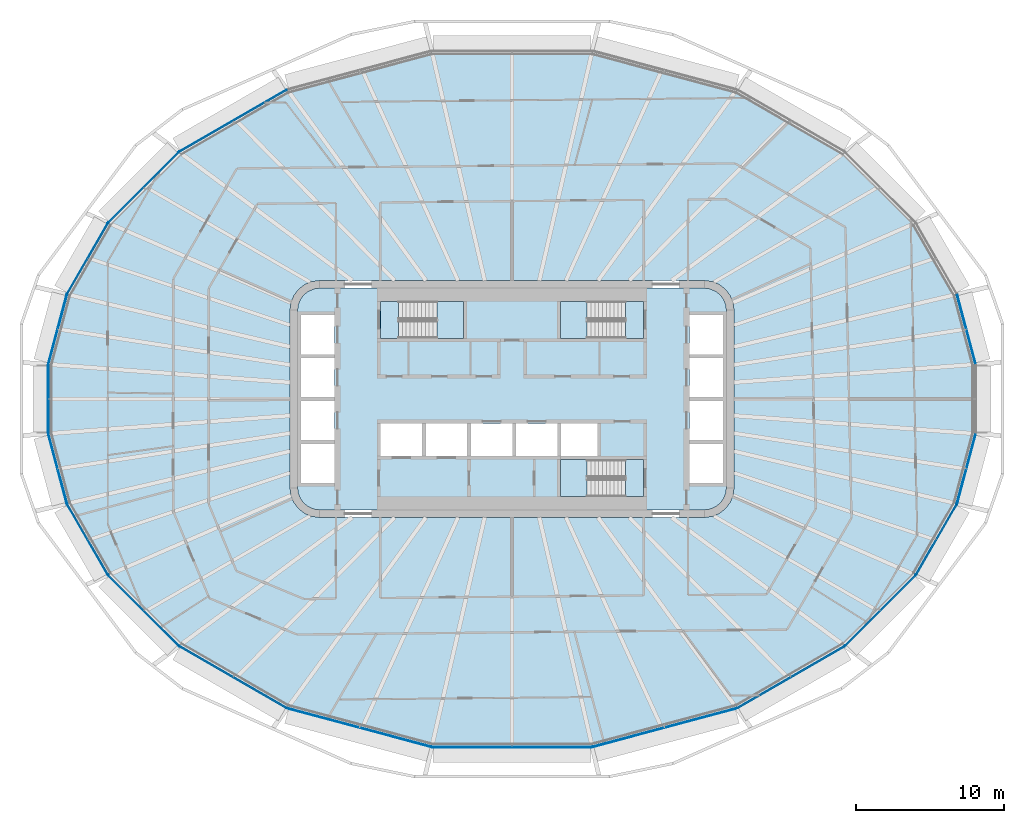
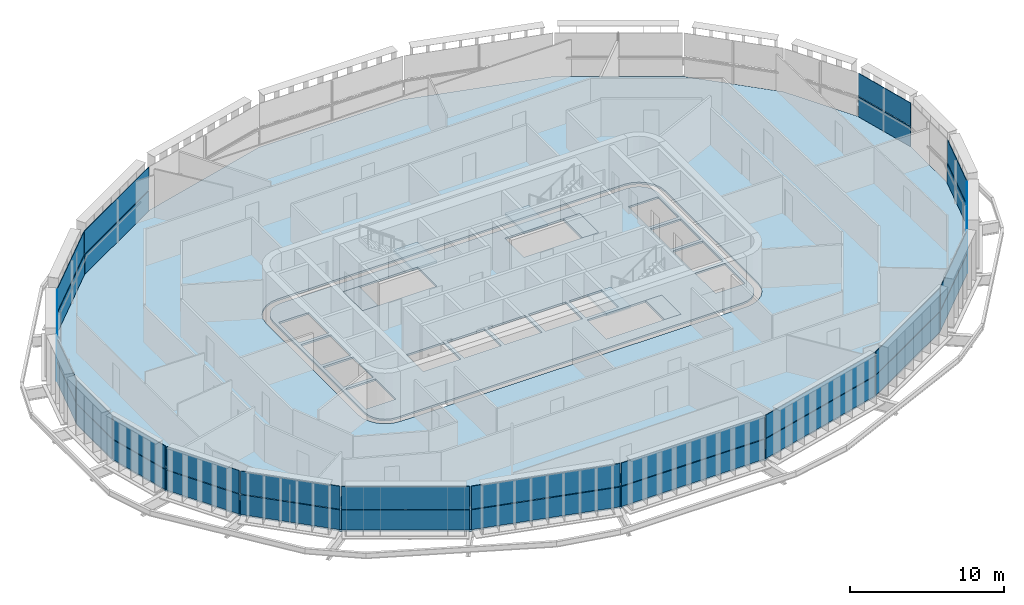
# One storey, part 10 of 23: 34 plates, 8 slabs, 20 elements without a shape of their own.
"""IFC4 building model written with IfcOpenShell, lengths in metres."""

from ifc_helpers import new_model, si_unit, direction, frame, origin, place, context, subcontext, project, spatial, polyline, outline, extrude, material, layer, layer_set, type_object, element, aggregate, save


model = new_model("IFC4")

# Units and contexts
model_context = context("Model", 3, precision=1e-05, world=origin(), true_north=direction((0.0, 1.0)))
body_context = subcontext(model_context, "Body", "Model", "MODEL_VIEW")
ifc_project = project(units=[si_unit("LENGTHUNIT", "METRE"), si_unit("AREAUNIT", "SQUARE_METRE"), si_unit("VOLUMEUNIT", "CUBIC_METRE"), si_unit("PLANEANGLEUNIT", "RADIAN"), si_unit("MASSUNIT", "GRAM", prefix="KILO")], contexts=[model_context])

# Site, building, storey
site_placement = place(None, origin())
site = spatial("IfcSite", under=ifc_project, at=site_placement, CompositionType="ELEMENT")
building_placement = place(site_placement, origin())
building = spatial("IfcBuilding", under=site, at=building_placement, Name="Sahrelin Media Tower", CompositionType="ELEMENT")
storey_placement = place(building_placement, frame((0.0, 0.0, 161.60009765625)))
storey = spatial("IfcBuildingStorey", under=building, at=storey_placement, Name="L33", CompositionType="ELEMENT", Elevation=161.60009765625)

# Slabs
ifc_material_1 = material(Name="Concrete C40/50", Category="concrete")
ifc_layer_1 = layer(ifc_material_1, 0.14990234375)
ifc_layer_set_1 = layer_set([ifc_layer_1], Name="Composite floor slab 150")
slab_type_1 = type_object("IfcSlabType", Name="Composite floor slab 150", PredefinedType="FLOOR", material=ifc_layer_set_1)
placement_1 = place(storey_placement, frame((0.0, 0.0, -0.150146484375)))
element("IfcSlab", 1, at=placement_1, inside=storey, type_object=slab_type_1, Name="Floor slab L33", PredefinedType="FLOOR", context=body_context, shape_type="SweptSolid", body=[
    extrude(outline(polyline([(31.33154296875, -2.34033203125), (31.33154296875, 2.34033203125), (30.064697265625, 7.06884765625), (27.279296875, 11.89306640625), (22.493408203125, 16.678955078125), (15.1884765625, 20.896484375), (5.425537109375, 23.512451171875), (-5.425537109375, 23.512451171875), (-15.1884765625, 20.896484375), (-22.493408203125, 16.678955078125), (-27.279296875, 11.89306640625), (-30.064697265625, 7.06884765625), (-31.33154296875, 2.34033203125), (-31.33154296875, -2.34033203125), (-30.064697265625, -7.06884765625), (-27.279296875, -11.89306640625), (-22.493408203125, -16.678955078125), (-15.1884765625, -20.896484375), (-5.425537109375, -23.512451171875), (5.425537109375, -23.512451171875), (15.1884765625, -20.896484375), (22.493408203125, -16.678955078125), (27.279296875, -11.89306640625), (30.064697265625, -7.06884765625), (31.33154296875, -2.34033203125)]), holes=[polyline([(14.931884765625, 6.517578125), (15.0, 6.0), (15.0, -6.0), (14.931884765625, -6.517578125), (14.732177734375, -7.0), (14.414306640625, -7.414306640625), (14.0, -7.732177734375), (13.517578125, -7.931884765625), (13.0, -8.0), (-13.0, -8.0), (-13.517578125, -7.931884765625), (-14.0, -7.732177734375), (-14.414306640625, -7.414306640625), (-14.732177734375, -7.0), (-14.931884765625, -6.517578125), (-15.0, -6.0), (-15.0, 6.0), (-14.931884765625, 6.517578125), (-14.732177734375, 7.0), (-14.414306640625, 7.414306640625), (-14.0, 7.732177734375), (-13.517578125, 7.931884765625), (-13.0, 8.0), (13.0, 8.0), (13.517578125, 7.931884765625), (14.0, 7.732177734375), (14.414306640625, 7.414306640625), (14.732177734375, 7.0), (14.931884765625, 6.517578125)])]), origin(), (0.0, 0.0, 1.0), 0.150146484375),
])
ifc_layer_2 = layer(ifc_material_1, 0.14990234375)
ifc_layer_set_2 = layer_set([ifc_layer_2], Name="Core floor slab 150")
slab_type_2 = type_object("IfcSlabType", Name="Core floor slab 150", PredefinedType="FLOOR", material=ifc_layer_set_2)
element("IfcSlab", 2, at=placement_1, inside=storey, type_object=slab_type_2, Name="Core floor", PredefinedType="FLOOR", context=body_context, shape_type="SweptSolid", body=[
    extrude(outline(polyline([(-14.44482421875, 6.38720703125), (-14.5, 5.96728515625), (-14.5, -5.96728515625), (-14.44482421875, -6.38720703125), (-14.29541015625, -6.747802734375), (-14.0576171875, -7.0576171875), (-13.747802734375, -7.29541015625), (-13.38720703125, -7.44482421875), (-12.96728515625, -7.5), (12.96728515625, -7.5), (13.38720703125, -7.44482421875), (13.747802734375, -7.29541015625), (14.0576171875, -7.0576171875), (14.29541015625, -6.747802734375), (14.44482421875, -6.38720703125), (14.5, -5.96728515625), (14.5, 5.96728515625), (14.44482421875, 6.38720703125), (14.29541015625, 6.747802734375), (14.0576171875, 7.0576171875), (13.747802734375, 7.29541015625), (13.38720703125, 7.44482421875), (12.96728515625, 7.5), (-12.96728515625, 7.5), (-13.38720703125, 7.44482421875), (-13.747802734375, 7.29541015625), (-14.0576171875, 7.0576171875), (-14.29541015625, 6.747802734375), (-14.44482421875, 6.38720703125)]), holes=[polyline([(-12.0, 3.02490234375), (-12.0, 5.675048828125), (-14.25, 5.675048828125), (-14.25, 3.02490234375), (-12.0, 3.02490234375)]), polyline([(-14.25, 0.125), (-12.0, 0.125), (-12.0, 2.77490234375), (-14.25, 2.77490234375), (-14.25, 0.125)]), polyline([(-14.25, -0.125), (-14.25, -2.77490234375), (-12.0, -2.77490234375), (-12.0, -0.125), (-14.25, -0.125)]), polyline([(-12.0, -3.02490234375), (-14.25, -3.02490234375), (-14.25, -5.675048828125), (-12.0, -5.675048828125), (-12.0, -3.02490234375)]), polyline([(14.25, 3.02490234375), (14.25, 5.675048828125), (12.0, 5.675048828125), (12.0, 3.02490234375), (14.25, 3.02490234375)]), polyline([(12.0, 0.125), (14.25, 0.125), (14.25, 2.77490234375), (12.0, 2.77490234375), (12.0, 0.125)]), polyline([(12.0, -0.125), (12.0, -2.77490234375), (14.25, -2.77490234375), (14.25, -0.125), (12.0, -0.125)]), polyline([(14.25, -3.02490234375), (12.0, -3.02490234375), (12.0, -5.675048828125), (14.25, -5.675048828125), (14.25, -3.02490234375)]), polyline([(-6.074951171875, -3.85009765625), (-6.074951171875, -1.64990234375), (-8.875, -1.64990234375), (-8.875, -3.85009765625), (-6.074951171875, -3.85009765625)]), polyline([(-5.824951171875, -3.85009765625), (-3.02490234375, -3.85009765625), (-3.02490234375, -1.64990234375), (-5.824951171875, -1.64990234375), (-5.824951171875, -3.85009765625)]), polyline([(-2.77490234375, -1.64990234375), (-2.77490234375, -3.85009765625), (0.02490234375, -3.85009765625), (0.02490234375, -1.64990234375), (-2.77490234375, -1.64990234375)]), polyline([(3.074951171875, -1.64990234375), (0.27490234375, -1.64990234375), (0.27490234375, -3.85009765625), (3.074951171875, -3.85009765625), (3.074951171875, -1.64990234375)]), polyline([(5.77490234375, -3.85009765625), (5.77490234375, -1.64990234375), (3.324951171875, -1.64990234375), (3.324951171875, -3.85009765625), (5.77490234375, -3.85009765625)]), polyline([(-8.875, 6.60009765625), (-8.875, 4.10009765625), (-3.27490234375, 4.10009765625), (-3.27490234375, 6.60009765625), (-8.875, 6.60009765625)]), polyline([(3.27490234375, 4.10009765625), (8.875, 4.10009765625), (8.875, 6.60009765625), (3.27490234375, 6.60009765625), (3.27490234375, 4.10009765625)]), polyline([(3.27490234375, -4.10009765625), (3.27490234375, -6.60009765625), (8.875, -6.60009765625), (8.875, -4.10009765625), (3.27490234375, -4.10009765625)])]), origin(), (0.0, 0.0, 1.0), 0.150146484375),
])

# Curtain wall, plate
ifc_material_2 = material(Name="Champagne anodised aluminium 6063-T6", Category="aluminium")
ifc_layer_3 = layer(ifc_material_2, 0.14990234375)
ifc_layer_set_3 = layer_set([ifc_layer_3], Name="Tower ribbon curtain wall")
curtain_wall_type = type_object("IfcCurtainWallType", Name="Tower ribbon curtain wall", PredefinedType="NOTDEFINED", material=ifc_layer_set_3)
curtain_wall_1_placement = place(storey_placement, frame((30.71728515625, 4.709716796875, 0.0), z_axis=(0.0, 0.0, 1.0), x_axis=(1.0, 0.0, 0.0)))
curtain_wall_1 = element("IfcCurtainWall", 3, at=curtain_wall_1_placement, inside=storey, type_object=curtain_wall_type, Name="L33:CW:L33-01", PredefinedType="NOTDEFINED")
ifc_material_3 = material(Name="Clear low-iron glazing", Category="glass")
ifc_layer_4 = layer(ifc_material_3, 0.0439453125)
ifc_layer_set_4 = layer_set([ifc_layer_4], Name="Glazing panel 44 mm CW1B")
plate_type_1 = type_object("IfcPlateType", Name="Glazing panel 44 mm CW1B", PredefinedType="CURTAIN_PANEL", material=ifc_layer_set_4)
plate_1_placement = place(storey_placement, frame((31.35791015625, 2.396484375, 1.6298828125), z_axis=(0.965927847978, 0.25881149994, 0.0), x_axis=(-0.25881149994, 0.965927847978, 0.0)))
plate_1 = element("IfcPlate", 4, at=plate_1_placement, type_object=plate_type_1, Name="L33:CWP2:L33-01", PredefinedType="CURTAIN_PANEL", context=body_context, shape_type="SweptSolid", body=[
    extrude(outline(polyline([(0.0, 0.0), (4.800537109375, 0.0), (4.800537109375, 1.818603515625), (0.0, 1.818603515625), (0.0, 0.0)])), origin(), (0.0, 0.0, -1.0), 0.0439453125),
])

curtain_wall_2_placement = place(storey_placement, frame((-18.85107421875, 18.804931640625, 0.0), z_axis=(0.0, 0.0, 1.0), x_axis=(1.0, 0.0, 0.0)))
curtain_wall_2 = element("IfcCurtainWall", 5, at=curtain_wall_2_placement, inside=storey, type_object=curtain_wall_type, Name="L33:CW:L33-08", PredefinedType="NOTDEFINED")
plate_2_placement = place(storey_placement, frame((-15.24951171875, 20.907470703125, 1.6298828125), z_axis=(-0.500002026074, 0.866024234027, 0.0), x_axis=(-0.866024234027, -0.500002026074, 0.0)))
plate_2 = element("IfcPlate", 6, at=plate_2_placement, type_object=plate_type_1, Name="L33:CWP2:L33-08", PredefinedType="CURTAIN_PANEL", context=body_context, shape_type="SweptSolid", body=[
    extrude(outline(polyline([(0.0, 0.0), (8.34033203125, 0.0), (8.34033203125, 1.818603515625), (0.0, 1.818603515625), (0.0, 0.0)])), origin(), (0.0, 0.0, -1.0), 0.0439453125),
])

curtain_wall_3_placement = place(storey_placement, frame((-24.900390625, 14.300048828125, 0.0), z_axis=(0.0, 0.0, 1.0), x_axis=(1.0, 0.0, 0.0)))
curtain_wall_3 = element("IfcCurtainWall", 7, at=curtain_wall_3_placement, inside=storey, type_object=curtain_wall_type, Name="L33:CW:L33-09", PredefinedType="NOTDEFINED")
plate_3_placement = place(storey_placement, frame((-22.555419921875, 16.673583984375, 1.6298828125), z_axis=(-0.707106781187, 0.707106781187, 0.0), x_axis=(-0.707106781187, -0.707106781187, 0.0)))
plate_3 = element("IfcPlate", 8, at=plate_3_placement, type_object=plate_type_1, Name="L33:CWP2:L33-09", PredefinedType="CURTAIN_PANEL", context=body_context, shape_type="SweptSolid", body=[
    extrude(outline(polyline([(0.0, 0.0), (6.67333984375, 0.0), (6.67333984375, 1.818603515625), (0.0, 1.818603515625), (0.0, 0.0)])), origin(), (0.0, 0.0, -1.0), 0.0439453125),
])

curtain_wall_4_placement = place(storey_placement, frame((-28.689208984375, 9.490966796875, 0.0), z_axis=(0.0, 0.0, 1.0), x_axis=(1.0, 0.0, 0.0)))
curtain_wall_4 = element("IfcCurtainWall", 9, at=curtain_wall_4_placement, inside=storey, type_object=curtain_wall_type, Name="L33:CW:L33-10", PredefinedType="NOTDEFINED")
plate_4_placement = place(storey_placement, frame((-27.337646484375, 11.8720703125, 1.6298828125), z_axis=(-0.866034122891, 0.49998489776, 0.0), x_axis=(-0.49998489776, -0.866034122891, 0.0)))
plate_4 = element("IfcPlate", 10, at=plate_4_placement, type_object=plate_type_1, Name="L33:CWP2:L33-10", PredefinedType="CURTAIN_PANEL", context=body_context, shape_type="SweptSolid", body=[
    extrude(outline(polyline([(0.0, 0.0), (5.475830078125, 0.0), (5.475830078125, 1.818603515625), (0.0, 1.818603515625), (0.0, 0.0)])), origin(), (0.0, 0.0, -1.0), 0.0439453125),
])

curtain_wall_5_placement = place(storey_placement, frame((-30.71728515625, 4.709716796875, 0.0), z_axis=(0.0, 0.0, 1.0), x_axis=(1.0, 0.0, 0.0)))
curtain_wall_5 = element("IfcCurtainWall", 11, at=curtain_wall_5_placement, inside=storey, type_object=curtain_wall_type, Name="L33:CW:L33-11", PredefinedType="NOTDEFINED")
plate_5_placement = place(storey_placement, frame((-30.115478515625, 7.033447265625, 1.6298828125), z_axis=(-0.965927847978, 0.25881149994, 0.0), x_axis=(-0.25881149994, -0.965927847978, 0.0)))
plate_5 = element("IfcPlate", 12, at=plate_5_placement, type_object=plate_type_1, Name="L33:CWP2:L33-11", PredefinedType="CURTAIN_PANEL", context=body_context, shape_type="SweptSolid", body=[
    extrude(outline(polyline([(0.0, 0.0), (4.800537109375, 0.0), (4.800537109375, 1.818603515625), (0.0, 1.818603515625), (0.0, 0.0)])), origin(), (0.0, 0.0, -1.0), 0.0439453125),
])

curtain_wall_6_placement = place(storey_placement, frame((-31.3515625, 0.0, 0.0), z_axis=(0.0, 0.0, 1.0), x_axis=(1.0, 0.0, 0.0)))
curtain_wall_6 = element("IfcCurtainWall", 13, at=curtain_wall_6_placement, inside=storey, type_object=curtain_wall_type, Name="L33:CW:L33-12", PredefinedType="NOTDEFINED")
plate_6_placement = place(storey_placement, frame((-31.37158203125, 2.29296875, 1.6298828125), z_axis=(-1.0, 0.0, 0.0), x_axis=(0.0, -1.0, 0.0)))
plate_6 = element("IfcPlate", 14, at=plate_6_placement, type_object=plate_type_1, Name="L33:CWP2:L33-12", PredefinedType="CURTAIN_PANEL", context=body_context, shape_type="SweptSolid", body=[
    extrude(outline(polyline([(0.0, 0.0), (4.5859375, 0.0), (4.5859375, 1.818603515625), (0.0, 1.818603515625), (0.0, 0.0)])), origin(), (0.0, 0.0, -1.0), 0.0439453125),
])

curtain_wall_7_placement = place(storey_placement, frame((-30.71728515625, -4.709716796875, 0.0), z_axis=(0.0, 0.0, 1.0), x_axis=(1.0, 0.0, 0.0)))
curtain_wall_7 = element("IfcCurtainWall", 15, at=curtain_wall_7_placement, inside=storey, type_object=curtain_wall_type, Name="L33:CW:L33-13", PredefinedType="NOTDEFINED")
plate_7_placement = place(storey_placement, frame((-31.35791015625, -2.396484375, 1.6298828125), z_axis=(-0.965927847978, -0.25881149994, 0.0), x_axis=(0.25881149994, -0.965927847978, 0.0)))
plate_7 = element("IfcPlate", 16, at=plate_7_placement, type_object=plate_type_1, Name="L33:CWP2:L33-13", PredefinedType="CURTAIN_PANEL", context=body_context, shape_type="SweptSolid", body=[
    extrude(outline(polyline([(0.0, 0.0), (4.800537109375, 0.0), (4.800537109375, 1.818603515625), (0.0, 1.818603515625), (0.0, 0.0)])), origin(), (0.0, 0.0, -1.0), 0.0439453125),
])

curtain_wall_8_placement = place(storey_placement, frame((-28.689208984375, -9.490966796875, 0.0), z_axis=(0.0, 0.0, 1.0), x_axis=(1.0, 0.0, 0.0)))
curtain_wall_8 = element("IfcCurtainWall", 17, at=curtain_wall_8_placement, inside=storey, type_object=curtain_wall_type, Name="L33:CW:L33-14", PredefinedType="NOTDEFINED")
plate_8_placement = place(storey_placement, frame((-30.075439453125, -7.1298828125, 1.6298828125), z_axis=(-0.866034122891, -0.49998489776, 0.0), x_axis=(0.49998489776, -0.866034122891, 0.0)))
plate_8 = element("IfcPlate", 18, at=plate_8_placement, type_object=plate_type_1, Name="L33:CWP2:L33-14", PredefinedType="CURTAIN_PANEL", context=body_context, shape_type="SweptSolid", body=[
    extrude(outline(polyline([(0.0, 0.0), (5.475830078125, 0.0), (5.475830078125, 1.818603515625), (0.0, 1.818603515625), (0.0, 0.0)])), origin(), (0.0, 0.0, -1.0), 0.0439453125),
])

curtain_wall_9_placement = place(storey_placement, frame((-24.900634765625, -14.30029296875, 0.0), z_axis=(0.0, 0.0, 1.0), x_axis=(1.0, 0.0, 0.0)))
curtain_wall_9 = element("IfcCurtainWall", 19, at=curtain_wall_9_placement, inside=storey, type_object=curtain_wall_type, Name="L33:CW:L33-15", PredefinedType="NOTDEFINED")
plate_9_placement = place(storey_placement, frame((-27.274169921875, -11.954833984375, 1.6298828125), z_axis=(-0.707106781187, -0.707106781187, 0.0), x_axis=(0.707106781187, -0.707106781187, 0.0)))
plate_9 = element("IfcPlate", 20, at=plate_9_placement, type_object=plate_type_1, Name="L33:CWP2:L33-15", PredefinedType="CURTAIN_PANEL", context=body_context, shape_type="SweptSolid", body=[
    extrude(outline(polyline([(0.0, 0.0), (6.67333984375, 0.0), (6.67333984375, 1.818603515625), (0.0, 1.818603515625), (0.0, 0.0)])), origin(), (0.0, 0.0, -1.0), 0.0439453125),
])

curtain_wall_10_placement = place(storey_placement, frame((-18.85107421875, -18.804931640625, 0.0), z_axis=(0.0, 0.0, 1.0), x_axis=(1.0, 0.0, 0.0)))
curtain_wall_10 = element("IfcCurtainWall", 21, at=curtain_wall_10_placement, inside=storey, type_object=curtain_wall_type, Name="L33:CW:L33-16", PredefinedType="NOTDEFINED")
plate_10_placement = place(storey_placement, frame((-22.472412109375, -16.7373046875, 1.6298828125), z_axis=(-0.500002026074, -0.866024234027, 0.0), x_axis=(0.866024234027, -0.500002026074, 0.0)))
plate_10 = element("IfcPlate", 22, at=plate_10_placement, type_object=plate_type_1, Name="L33:CWP2:L33-16", PredefinedType="CURTAIN_PANEL", context=body_context, shape_type="SweptSolid", body=[
    extrude(outline(polyline([(0.0, 0.0), (8.34033203125, 0.0), (8.34033203125, 1.818603515625), (0.0, 1.818603515625), (0.0, 0.0)])), origin(), (0.0, 0.0, -1.0), 0.0439453125),
])

curtain_wall_11_placement = place(storey_placement, frame((-10.312255859375, -22.2236328125, 0.0), z_axis=(0.0, 0.0, 1.0), x_axis=(1.0, 0.0, 0.0)))
curtain_wall_11 = element("IfcCurtainWall", 23, at=curtain_wall_11_placement, inside=storey, type_object=curtain_wall_type, Name="L33:CW:L33-17", PredefinedType="NOTDEFINED")
plate_11_placement = place(storey_placement, frame((-15.153076171875, -20.947509765625, 1.6298828125), z_axis=(-0.258806775726, -0.965929113775, 0.0), x_axis=(0.965929113775, -0.258806775726, 0.0)))
plate_11 = element("IfcPlate", 24, at=plate_11_placement, type_object=plate_type_1, Name="L33:CWP2:L33-17", PredefinedType="CURTAIN_PANEL", context=body_context, shape_type="SweptSolid", body=[
    extrude(outline(polyline([(0.0, 0.0), (10.012451171875, 0.0), (10.012451171875, 1.818603515625), (0.0, 1.818603515625), (0.0, 0.0)])), origin(), (0.0, 0.0, -1.0), 0.0439453125),
])

curtain_wall_12_placement = place(storey_placement, frame((0.0, -23.532470703125, 0.0), z_axis=(0.0, 0.0, 1.0), x_axis=(1.0, 0.0, 0.0)))
curtain_wall_12 = element("IfcCurtainWall", 25, at=curtain_wall_12_placement, inside=storey, type_object=curtain_wall_type, Name="L33:CW:L33-18", PredefinedType="NOTDEFINED")
plate_12_placement = place(storey_placement, frame((-5.378173828125, -23.552490234375, 1.6298828125), z_axis=(0.0, -1.0, 0.0), x_axis=(1.0, 0.0, 0.0)))
plate_12 = element("IfcPlate", 26, at=plate_12_placement, type_object=plate_type_1, Name="L33:CWP2:L33-18", PredefinedType="CURTAIN_PANEL", context=body_context, shape_type="SweptSolid", body=[
    extrude(outline(polyline([(0.0, 0.0), (10.75634765625, 0.0), (10.75634765625, 1.818603515625), (0.0, 1.818603515625), (0.0, 0.0)])), origin(), (0.0, 0.0, -1.0), 0.0439453125),
])

curtain_wall_13_placement = place(storey_placement, frame((10.312255859375, -22.2236328125, 0.0), z_axis=(0.0, 0.0, 1.0), x_axis=(1.0, 0.0, 0.0)))
curtain_wall_13 = element("IfcCurtainWall", 27, at=curtain_wall_13_placement, inside=storey, type_object=curtain_wall_type, Name="L33:CW:L33-19", PredefinedType="NOTDEFINED")
plate_13_placement = place(storey_placement, frame((5.481689453125, -23.538818359375, 1.6298828125), z_axis=(0.258806775726, -0.965929113775, 0.0), x_axis=(0.965929113775, 0.258806775726, 0.0)))
plate_13 = element("IfcPlate", 28, at=plate_13_placement, type_object=plate_type_1, Name="L33:CWP2:L33-19", PredefinedType="CURTAIN_PANEL", context=body_context, shape_type="SweptSolid", body=[
    extrude(outline(polyline([(0.0, 0.0), (10.012451171875, 0.0), (10.012451171875, 1.818603515625), (0.0, 1.818603515625), (0.0, 0.0)])), origin(), (0.0, 0.0, -1.0), 0.0439453125),
])

curtain_wall_14_placement = place(storey_placement, frame((18.85107421875, -18.804931640625, 0.0), z_axis=(0.0, 0.0, 1.0), x_axis=(1.0, 0.0, 0.0)))
curtain_wall_14 = element("IfcCurtainWall", 29, at=curtain_wall_14_placement, inside=storey, type_object=curtain_wall_type, Name="L33:CW:L33-20", PredefinedType="NOTDEFINED")
plate_14_placement = place(storey_placement, frame((15.24951171875, -20.907470703125, 1.6298828125), z_axis=(0.500002026074, -0.866024234027, 0.0), x_axis=(0.866024234027, 0.500002026074, 0.0)))
plate_14 = element("IfcPlate", 30, at=plate_14_placement, type_object=plate_type_1, Name="L33:CWP2:L33-20", PredefinedType="CURTAIN_PANEL", context=body_context, shape_type="SweptSolid", body=[
    extrude(outline(polyline([(0.0, 0.0), (8.34033203125, 0.0), (8.34033203125, 1.818603515625), (0.0, 1.818603515625), (0.0, 0.0)])), origin(), (0.0, 0.0, -1.0), 0.0439453125),
])

curtain_wall_15_placement = place(storey_placement, frame((24.900390625, -14.300048828125, 0.0), z_axis=(0.0, 0.0, 1.0), x_axis=(1.0, 0.0, 0.0)))
curtain_wall_15 = element("IfcCurtainWall", 31, at=curtain_wall_15_placement, inside=storey, type_object=curtain_wall_type, Name="L33:CW:L33-21", PredefinedType="NOTDEFINED")
plate_15_placement = place(storey_placement, frame((22.555419921875, -16.673583984375, 1.6298828125), z_axis=(0.707106781187, -0.707106781187, 0.0), x_axis=(0.707106781187, 0.707106781187, 0.0)))
plate_15 = element("IfcPlate", 32, at=plate_15_placement, type_object=plate_type_1, Name="L33:CWP2:L33-21", PredefinedType="CURTAIN_PANEL", context=body_context, shape_type="SweptSolid", body=[
    extrude(outline(polyline([(0.0, 0.0), (6.67333984375, 0.0), (6.67333984375, 1.818603515625), (0.0, 1.818603515625), (0.0, 0.0)])), origin(), (0.0, 0.0, -1.0), 0.0439453125),
])

curtain_wall_16_placement = place(storey_placement, frame((28.689208984375, -9.490966796875, 0.0), z_axis=(0.0, 0.0, 1.0), x_axis=(1.0, 0.0, 0.0)))
curtain_wall_16 = element("IfcCurtainWall", 33, at=curtain_wall_16_placement, inside=storey, type_object=curtain_wall_type, Name="L33:CW:L33-22", PredefinedType="NOTDEFINED")
plate_16_placement = place(storey_placement, frame((27.337646484375, -11.8720703125, 1.6298828125), z_axis=(0.866034122891, -0.49998489776, 0.0), x_axis=(0.49998489776, 0.866034122891, 0.0)))
plate_16 = element("IfcPlate", 34, at=plate_16_placement, type_object=plate_type_1, Name="L33:CWP2:L33-22", PredefinedType="CURTAIN_PANEL", context=body_context, shape_type="SweptSolid", body=[
    extrude(outline(polyline([(0.0, 0.0), (5.475830078125, 0.0), (5.475830078125, 1.818603515625), (0.0, 1.818603515625), (0.0, 0.0)])), origin(), (0.0, 0.0, -1.0), 0.0439453125),
])

curtain_wall_17_placement = place(storey_placement, frame((30.71728515625, -4.709716796875, 0.0), z_axis=(0.0, 0.0, 1.0), x_axis=(1.0, 0.0, 0.0)))
curtain_wall_17 = element("IfcCurtainWall", 35, at=curtain_wall_17_placement, inside=storey, type_object=curtain_wall_type, Name="L33:CW:L33-23", PredefinedType="NOTDEFINED")
plate_17_placement = place(storey_placement, frame((30.115478515625, -7.033447265625, 1.6298828125), z_axis=(0.965927847978, -0.25881149994, 0.0), x_axis=(0.25881149994, 0.965927847978, 0.0)))
plate_17 = element("IfcPlate", 36, at=plate_17_placement, type_object=plate_type_1, Name="L33:CWP2:L33-23", PredefinedType="CURTAIN_PANEL", context=body_context, shape_type="SweptSolid", body=[
    extrude(outline(polyline([(0.0, 0.0), (4.800537109375, 0.0), (4.800537109375, 1.818603515625), (0.0, 1.818603515625), (0.0, 0.0)])), origin(), (0.0, 0.0, -1.0), 0.0439453125),
])

# Plate
ifc_material_4 = material(Name="Insulated spandrel panel")
ifc_layer_5 = layer(ifc_material_4, 0.06005859375)
ifc_layer_set_5 = layer_set([ifc_layer_5], Name="Spandrel panel 60 mm CW1")
plate_type_2 = type_object("IfcPlateType", Name="Spandrel panel 60 mm CW1", PredefinedType="SHEET", material=ifc_layer_set_5)
plate_18_placement = place(storey_placement, frame((31.35791015625, 2.396484375, 0.0), z_axis=(0.965927847978, 0.25881149994, 0.0), x_axis=(-0.25881149994, 0.965927847978, 0.0)))
plate_18 = element("IfcPlate", 37, at=plate_18_placement, type_object=plate_type_2, Name="L33:CWP1:L33-01", PredefinedType="SHEET", context=body_context, shape_type="SweptSolid", body=[
    extrude(outline(polyline([(0.0, 0.0), (4.800537109375, 0.0), (4.800537109375, 1.56982421875), (0.0, 1.56982421875), (0.0, 0.0)])), origin(), (0.0, 0.0, -1.0), 0.06005859375),
])

aggregate(curtain_wall_1, [plate_18, plate_1])

plate_19_placement = place(storey_placement, frame((-15.24951171875, 20.907470703125, 0.0), z_axis=(-0.500002026074, 0.866024234027, 0.0), x_axis=(-0.866024234027, -0.500002026074, 0.0)))
plate_19 = element("IfcPlate", 38, at=plate_19_placement, type_object=plate_type_2, Name="L33:CWP1:L33-08", PredefinedType="SHEET", context=body_context, shape_type="SweptSolid", body=[
    extrude(outline(polyline([(0.0, 0.0), (8.34033203125, 0.0), (8.34033203125, 1.56982421875), (0.0, 1.56982421875), (0.0, 0.0)])), origin(), (0.0, 0.0, -1.0), 0.06005859375),
])

aggregate(curtain_wall_2, [plate_19, plate_2])

plate_20_placement = place(storey_placement, frame((-22.555419921875, 16.673583984375, 0.0), z_axis=(-0.707106781187, 0.707106781187, 0.0), x_axis=(-0.707106781187, -0.707106781187, 0.0)))
plate_20 = element("IfcPlate", 39, at=plate_20_placement, type_object=plate_type_2, Name="L33:CWP1:L33-09", PredefinedType="SHEET", context=body_context, shape_type="SweptSolid", body=[
    extrude(outline(polyline([(0.0, 0.0), (6.67333984375, 0.0), (6.67333984375, 1.56982421875), (0.0, 1.56982421875), (0.0, 0.0)])), origin(), (0.0, 0.0, -1.0), 0.06005859375),
])

aggregate(curtain_wall_3, [plate_20, plate_3])

plate_21_placement = place(storey_placement, frame((-27.337646484375, 11.8720703125, 0.0), z_axis=(-0.866034122891, 0.49998489776, 0.0), x_axis=(-0.49998489776, -0.866034122891, 0.0)))
plate_21 = element("IfcPlate", 40, at=plate_21_placement, type_object=plate_type_2, Name="L33:CWP1:L33-10", PredefinedType="SHEET", context=body_context, shape_type="SweptSolid", body=[
    extrude(outline(polyline([(0.0, 0.0), (5.475830078125, 0.0), (5.475830078125, 1.56982421875), (0.0, 1.56982421875), (0.0, 0.0)])), origin(), (0.0, 0.0, -1.0), 0.06005859375),
])

aggregate(curtain_wall_4, [plate_21, plate_4])

plate_22_placement = place(storey_placement, frame((-30.115478515625, 7.033447265625, 0.0), z_axis=(-0.965927847978, 0.25881149994, 0.0), x_axis=(-0.25881149994, -0.965927847978, 0.0)))
plate_22 = element("IfcPlate", 41, at=plate_22_placement, type_object=plate_type_2, Name="L33:CWP1:L33-11", PredefinedType="SHEET", context=body_context, shape_type="SweptSolid", body=[
    extrude(outline(polyline([(0.0, 0.0), (4.800537109375, 0.0), (4.800537109375, 1.56982421875), (0.0, 1.56982421875), (0.0, 0.0)])), origin(), (0.0, 0.0, -1.0), 0.06005859375),
])

aggregate(curtain_wall_5, [plate_22, plate_5])

plate_23_placement = place(storey_placement, frame((-31.37158203125, 2.29296875, 0.0), z_axis=(-1.0, 0.0, 0.0), x_axis=(0.0, -1.0, 0.0)))
plate_23 = element("IfcPlate", 42, at=plate_23_placement, type_object=plate_type_2, Name="L33:CWP1:L33-12", PredefinedType="SHEET", context=body_context, shape_type="SweptSolid", body=[
    extrude(outline(polyline([(0.0, 0.0), (4.5859375, 0.0), (4.5859375, 1.56982421875), (0.0, 1.56982421875), (0.0, 0.0)])), origin(), (0.0, 0.0, -1.0), 0.06005859375),
])

aggregate(curtain_wall_6, [plate_23, plate_6])

plate_24_placement = place(storey_placement, frame((-31.35791015625, -2.396484375, 0.0), z_axis=(-0.965927847978, -0.25881149994, 0.0), x_axis=(0.25881149994, -0.965927847978, 0.0)))
plate_24 = element("IfcPlate", 43, at=plate_24_placement, type_object=plate_type_2, Name="L33:CWP1:L33-13", PredefinedType="SHEET", context=body_context, shape_type="SweptSolid", body=[
    extrude(outline(polyline([(0.0, 0.0), (4.800537109375, 0.0), (4.800537109375, 1.56982421875), (0.0, 1.56982421875), (0.0, 0.0)])), origin(), (0.0, 0.0, -1.0), 0.06005859375),
])

aggregate(curtain_wall_7, [plate_24, plate_7])

plate_25_placement = place(storey_placement, frame((-30.075439453125, -7.1298828125, 0.0), z_axis=(-0.866034122891, -0.49998489776, 0.0), x_axis=(0.49998489776, -0.866034122891, 0.0)))
plate_25 = element("IfcPlate", 44, at=plate_25_placement, type_object=plate_type_2, Name="L33:CWP1:L33-14", PredefinedType="SHEET", context=body_context, shape_type="SweptSolid", body=[
    extrude(outline(polyline([(0.0, 0.0), (5.475830078125, 0.0), (5.475830078125, 1.56982421875), (0.0, 1.56982421875), (0.0, 0.0)])), origin(), (0.0, 0.0, -1.0), 0.06005859375),
])

aggregate(curtain_wall_8, [plate_25, plate_8])

plate_26_placement = place(storey_placement, frame((-27.274169921875, -11.954833984375, 0.0), z_axis=(-0.707106781187, -0.707106781187, 0.0), x_axis=(0.707106781187, -0.707106781187, 0.0)))
plate_26 = element("IfcPlate", 45, at=plate_26_placement, type_object=plate_type_2, Name="L33:CWP1:L33-15", PredefinedType="SHEET", context=body_context, shape_type="SweptSolid", body=[
    extrude(outline(polyline([(0.0, 0.0), (6.67333984375, 0.0), (6.67333984375, 1.56982421875), (0.0, 1.56982421875), (0.0, 0.0)])), origin(), (0.0, 0.0, -1.0), 0.06005859375),
])

aggregate(curtain_wall_9, [plate_26, plate_9])

plate_27_placement = place(storey_placement, frame((-22.472412109375, -16.7373046875, 0.0), z_axis=(-0.500002026074, -0.866024234027, 0.0), x_axis=(0.866024234027, -0.500002026074, 0.0)))
plate_27 = element("IfcPlate", 46, at=plate_27_placement, type_object=plate_type_2, Name="L33:CWP1:L33-16", PredefinedType="SHEET", context=body_context, shape_type="SweptSolid", body=[
    extrude(outline(polyline([(0.0, 0.0), (8.34033203125, 0.0), (8.34033203125, 1.56982421875), (0.0, 1.56982421875), (0.0, 0.0)])), origin(), (0.0, 0.0, -1.0), 0.06005859375),
])

aggregate(curtain_wall_10, [plate_27, plate_10])

plate_28_placement = place(storey_placement, frame((-15.153076171875, -20.947509765625, 0.0), z_axis=(-0.258806775726, -0.965929113775, 0.0), x_axis=(0.965929113775, -0.258806775726, 0.0)))
plate_28 = element("IfcPlate", 47, at=plate_28_placement, type_object=plate_type_2, Name="L33:CWP1:L33-17", PredefinedType="SHEET", context=body_context, shape_type="SweptSolid", body=[
    extrude(outline(polyline([(0.0, 0.0), (10.012451171875, 0.0), (10.012451171875, 1.56982421875), (0.0, 1.56982421875), (0.0, 0.0)])), origin(), (0.0, 0.0, -1.0), 0.06005859375),
])

aggregate(curtain_wall_11, [plate_28, plate_11])

plate_29_placement = place(storey_placement, frame((-5.378173828125, -23.552490234375, 0.0), z_axis=(0.0, -1.0, 0.0), x_axis=(1.0, 0.0, 0.0)))
plate_29 = element("IfcPlate", 48, at=plate_29_placement, type_object=plate_type_2, Name="L33:CWP1:L33-18", PredefinedType="SHEET", context=body_context, shape_type="SweptSolid", body=[
    extrude(outline(polyline([(0.0, 0.0), (10.75634765625, 0.0), (10.75634765625, 1.56982421875), (0.0, 1.56982421875), (0.0, 0.0)])), origin(), (0.0, 0.0, -1.0), 0.06005859375),
])

aggregate(curtain_wall_12, [plate_29, plate_12])

plate_30_placement = place(storey_placement, frame((5.481689453125, -23.538818359375, 0.0), z_axis=(0.258806775726, -0.965929113775, 0.0), x_axis=(0.965929113775, 0.258806775726, 0.0)))
plate_30 = element("IfcPlate", 49, at=plate_30_placement, type_object=plate_type_2, Name="L33:CWP1:L33-19", PredefinedType="SHEET", context=body_context, shape_type="SweptSolid", body=[
    extrude(outline(polyline([(0.0, 0.0), (10.012451171875, 0.0), (10.012451171875, 1.56982421875), (0.0, 1.56982421875), (0.0, 0.0)])), origin(), (0.0, 0.0, -1.0), 0.06005859375),
])

aggregate(curtain_wall_13, [plate_30, plate_13])

plate_31_placement = place(storey_placement, frame((15.24951171875, -20.907470703125, 0.0), z_axis=(0.500002026074, -0.866024234027, 0.0), x_axis=(0.866024234027, 0.500002026074, 0.0)))
plate_31 = element("IfcPlate", 50, at=plate_31_placement, type_object=plate_type_2, Name="L33:CWP1:L33-20", PredefinedType="SHEET", context=body_context, shape_type="SweptSolid", body=[
    extrude(outline(polyline([(0.0, 0.0), (8.34033203125, 0.0), (8.34033203125, 1.56982421875), (0.0, 1.56982421875), (0.0, 0.0)])), origin(), (0.0, 0.0, -1.0), 0.06005859375),
])

aggregate(curtain_wall_14, [plate_31, plate_14])

plate_32_placement = place(storey_placement, frame((22.555419921875, -16.673583984375, 0.0), z_axis=(0.707106781187, -0.707106781187, 0.0), x_axis=(0.707106781187, 0.707106781187, 0.0)))
plate_32 = element("IfcPlate", 51, at=plate_32_placement, type_object=plate_type_2, Name="L33:CWP1:L33-21", PredefinedType="SHEET", context=body_context, shape_type="SweptSolid", body=[
    extrude(outline(polyline([(0.0, 0.0), (6.67333984375, 0.0), (6.67333984375, 1.56982421875), (0.0, 1.56982421875), (0.0, 0.0)])), origin(), (0.0, 0.0, -1.0), 0.06005859375),
])

aggregate(curtain_wall_15, [plate_32, plate_15])

plate_33_placement = place(storey_placement, frame((27.337646484375, -11.8720703125, 0.0), z_axis=(0.866034122891, -0.49998489776, 0.0), x_axis=(0.49998489776, 0.866034122891, 0.0)))
plate_33 = element("IfcPlate", 52, at=plate_33_placement, type_object=plate_type_2, Name="L33:CWP1:L33-22", PredefinedType="SHEET", context=body_context, shape_type="SweptSolid", body=[
    extrude(outline(polyline([(0.0, 0.0), (5.475830078125, 0.0), (5.475830078125, 1.56982421875), (0.0, 1.56982421875), (0.0, 0.0)])), origin(), (0.0, 0.0, -1.0), 0.06005859375),
])

aggregate(curtain_wall_16, [plate_33, plate_16])

plate_34_placement = place(storey_placement, frame((30.115478515625, -7.033447265625, 0.0), z_axis=(0.965927847978, -0.25881149994, 0.0), x_axis=(0.25881149994, 0.965927847978, 0.0)))
plate_34 = element("IfcPlate", 53, at=plate_34_placement, type_object=plate_type_2, Name="L33:CWP1:L33-23", PredefinedType="SHEET", context=body_context, shape_type="SweptSolid", body=[
    extrude(outline(polyline([(0.0, 0.0), (4.800537109375, 0.0), (4.800537109375, 1.56982421875), (0.0, 1.56982421875), (0.0, 0.0)])), origin(), (0.0, 0.0, -1.0), 0.06005859375),
])

aggregate(curtain_wall_17, [plate_34, plate_17])

# Stair, slabs
stair_type = type_object("IfcStairType", Name="Exit stair 1200", PredefinedType="HALF_TURN_STAIR", material=ifc_material_1)
placement_2 = place(storey_placement, origin())
stair_1 = element("IfcStair", 54, at=placement_2, inside=storey, type_object=stair_type, Name="L33 Exit stair ST1", PredefinedType="HALF_TURN_STAIR")
ifc_layer_6 = layer(ifc_material_1, 0.199951171875)
ifc_layer_set_6 = layer_set([ifc_layer_6], Name="Stair landing 200")
slab_type_3 = type_object("IfcSlabType", Name="Stair landing 200", PredefinedType="LANDING", material=ifc_layer_set_6)
placement_3 = place(storey_placement, frame((0.0, 0.0, 1.7998046875)))
slab_3 = element("IfcSlab", 55, at=placement_3, type_object=slab_type_3, Name="ST1 landing 1", PredefinedType="LANDING", context=body_context, shape_type="SweptSolid", body=[
    extrude(outline(polyline([(-5.074951171875, 4.10009765625), (-3.27490234375, 4.10009765625), (-3.27490234375, 6.60009765625), (-5.074951171875, 6.60009765625), (-5.074951171875, 4.10009765625)])), origin(), (0.0, 0.0, 1.0), 0.2001953125),
])
placement_4 = place(storey_placement, frame((0.0, 0.0, -0.2001953125)))
slab_4 = element("IfcSlab", 56, at=placement_4, type_object=slab_type_3, Name="ST1 landing 2", PredefinedType="LANDING", context=body_context, shape_type="SweptSolid", body=[
    extrude(outline(polyline([(-8.875, 4.10009765625), (-7.675048828125, 4.10009765625), (-7.675048828125, 6.60009765625), (-8.875, 6.60009765625), (-8.875, 4.10009765625)])), origin(), (0.0, 0.0, 1.0), 0.2001953125),
])
aggregate(stair_1, [slab_3, slab_4])

stair_2 = element("IfcStair", 57, at=placement_2, inside=storey, type_object=stair_type, Name="L33 Exit stair ST3", PredefinedType="HALF_TURN_STAIR")
slab_5 = element("IfcSlab", 58, at=placement_3, type_object=slab_type_3, Name="ST3 landing 1", PredefinedType="LANDING", context=body_context, shape_type="SweptSolid", body=[
    extrude(outline(polyline([(5.074951171875, 6.60009765625), (3.27490234375, 6.60009765625), (3.27490234375, 4.10009765625), (5.074951171875, 4.10009765625), (5.074951171875, 6.60009765625)])), origin(), (0.0, 0.0, 1.0), 0.2001953125),
])
slab_6 = element("IfcSlab", 59, at=placement_4, type_object=slab_type_3, Name="ST3 landing 2", PredefinedType="LANDING", context=body_context, shape_type="SweptSolid", body=[
    extrude(outline(polyline([(8.875, 6.60009765625), (7.675048828125, 6.60009765625), (7.675048828125, 4.10009765625), (8.875, 4.10009765625), (8.875, 6.60009765625)])), origin(), (0.0, 0.0, 1.0), 0.2001953125),
])
aggregate(stair_2, [slab_5, slab_6])

stair_3 = element("IfcStair", 60, at=placement_2, inside=storey, type_object=stair_type, Name="L33 Exit stair ST2", PredefinedType="HALF_TURN_STAIR")
slab_7 = element("IfcSlab", 61, at=placement_3, type_object=slab_type_3, Name="ST2 landing 1", PredefinedType="LANDING", context=body_context, shape_type="SweptSolid", body=[
    extrude(outline(polyline([(5.074951171875, -4.10009765625), (3.27490234375, -4.10009765625), (3.27490234375, -6.60009765625), (5.074951171875, -6.60009765625), (5.074951171875, -4.10009765625)])), origin(), (0.0, 0.0, 1.0), 0.2001953125),
])
slab_8 = element("IfcSlab", 62, at=placement_4, type_object=slab_type_3, Name="ST2 landing 2", PredefinedType="LANDING", context=body_context, shape_type="SweptSolid", body=[
    extrude(outline(polyline([(8.875, -4.10009765625), (7.675048828125, -4.10009765625), (7.675048828125, -6.60009765625), (8.875, -6.60009765625), (8.875, -4.10009765625)])), origin(), (0.0, 0.0, 1.0), 0.2001953125),
])
aggregate(stair_3, [slab_7, slab_8])

save(model, "model.ifc")
